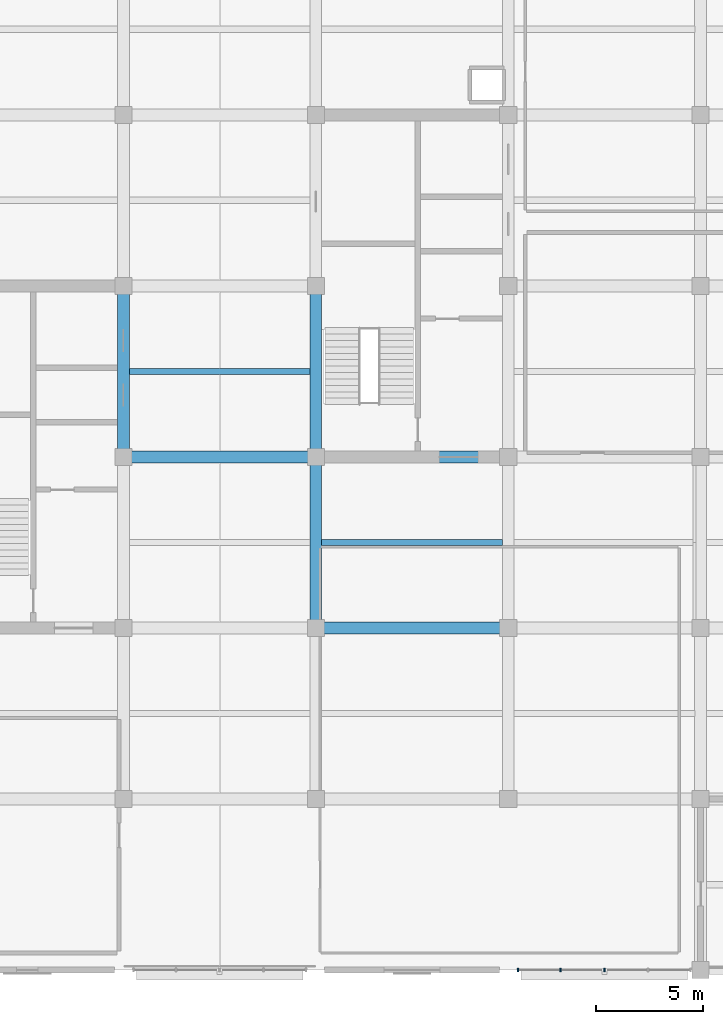
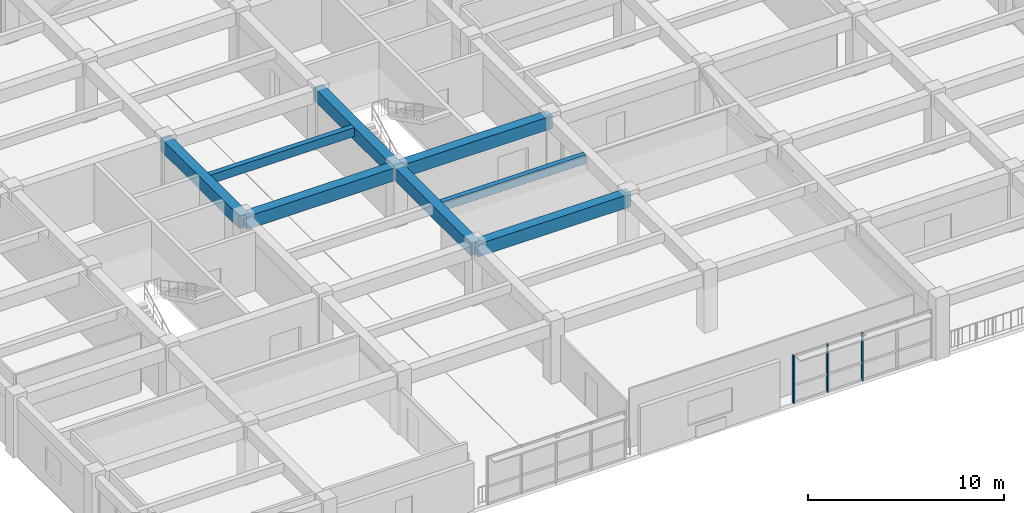
# One storey, part 5 of 17: 8 beams, 3 members, 1 element without a shape of its own.
"""IFC4 building model written with IfcOpenShell, lengths in metres."""

from ifc_helpers import new_model, si_unit, direction, frame, origin, origin_2d, place, context, subcontext, project, spatial, rectangle, extrude, material, material_profile, profile_set, type_object, element, aggregate, save


model = new_model("IFC4")

# Units and contexts
model_context = context("Model", 3, precision=1e-05, world=origin(), true_north=direction((0.0, 1.0)))
body_context = subcontext(model_context, "Body", "Model", "MODEL_VIEW")
ifc_project = project(units=[si_unit("LENGTHUNIT", "METRE"), si_unit("AREAUNIT", "SQUARE_METRE"), si_unit("VOLUMEUNIT", "CUBIC_METRE"), si_unit("PLANEANGLEUNIT", "RADIAN"), si_unit("MASSUNIT", "GRAM", prefix="KILO")], contexts=[model_context])

# Site, building, storey
site_placement = place(None, origin())
site = spatial("IfcSite", under=ifc_project, at=site_placement, CompositionType="ELEMENT")
building_placement = place(site_placement, origin())
building = spatial("IfcBuilding", under=site, at=building_placement, Name="Zaverband Oceanarium and Marine Research Institute", CompositionType="ELEMENT")
storey_placement = place(building_placement, frame((0.0, 0.0, 33.60009765625)))
storey = spatial("IfcBuildingStorey", under=building, at=storey_placement, Name="L08", CompositionType="ELEMENT", Elevation=33.60009765625)

# Beams
ifc_material_1 = material(Name="Concrete C40/50", Category="concrete")
ifc_material_profile_1 = material_profile(ifc_material_1, rectangle(XDim=0.550048828125, YDim=0.800048828125, at=origin_2d()), Name="RC550x800")
ifc_profile_set_1 = profile_set([ifc_material_profile_1], Name="Concrete C40/50")
beam_type_1 = type_object("IfcBeamType", Name="BM-550x800", PredefinedType="BEAM", material=ifc_profile_set_1)
for number, where, z_axis, x_axis, name in (
    (1, (36.0, 80.0, 3.25), (1.0, 0.0, 0.0), (0.0, 1.0, 0.0), "Primary floor girder BM-550x800"),
    (2, (27.0, 88.0, 3.25), (1.0, 0.0, 0.0), (0.0, 1.0, 0.0), "Primary floor girder BM-550x800"),
    (3, (36.0, 88.0, 3.25), (1.0, 0.0, 0.0), (0.0, 1.0, 0.0), "Primary floor girder BM-550x800"),
):
    element("IfcBeam", number, at=place(storey_placement, frame(where, z_axis=z_axis, x_axis=x_axis)), inside=storey, type_object=beam_type_1, Name=name, PredefinedType="BEAM", context=body_context, shape_type="SweptSolid", body=[
        extrude(rectangle(XDim=0.550048828125, YDim=0.800048828125, at=origin_2d()), origin(), (0.0, 0.0, 1.0), 9.0),
    ])
for number, where, z_axis, x_axis, name in (
    (4, (27.0, 88.0, 3.25), (0.0, 1.0, 0.0), (-1.0, 0.0, 0.0), "Primary floor girder BM-550x800"),
    (5, (36.0, 80.0, 3.25), (0.0, 1.0, 0.0), (-1.0, 0.0, 0.0), "Primary floor girder BM-550x800"),
    (6, (36.0, 88.0, 3.25), (0.0, 1.0, 0.0), (-1.0, 0.0, 0.0), "Primary floor girder BM-550x800"),
):
    element("IfcBeam", number, at=place(storey_placement, frame(where, z_axis=z_axis, x_axis=x_axis)), inside=storey, type_object=beam_type_1, Name=name, PredefinedType="BEAM", context=body_context, shape_type="SweptSolid", body=[
        extrude(rectangle(XDim=0.550048828125, YDim=0.800048828125, at=origin_2d()), origin(), (0.0, 0.0, 1.0), 8.0),
    ])
ifc_material_profile_2 = material_profile(ifc_material_1, rectangle(XDim=0.300048828125, YDim=0.550048828125, at=origin_2d()), Name="RC300x550")
ifc_profile_set_2 = profile_set([ifc_material_profile_2], Name="Concrete C40/50")
beam_type_2 = type_object("IfcBeamType", Name="JST-300x550", PredefinedType="JOIST", material=ifc_profile_set_2)
for number, where, z_axis, x_axis, name in (
    (7, (27.27490234375, 92.0, 3.375), (1.0, 0.0, 0.0), (0.0, 1.0, 0.0), "Secondary floor joist JST-300x550"),
    (8, (36.27490234375, 84.0, 3.375), (1.0, 0.0, 0.0), (0.0, 1.0, 0.0), "Secondary floor joist JST-300x550"),
):
    element("IfcBeam", number, at=place(storey_placement, frame(where, z_axis=z_axis, x_axis=x_axis)), inside=storey, type_object=beam_type_2, Name=name, PredefinedType="JOIST", context=body_context, shape_type="SweptSolid", body=[
        extrude(rectangle(XDim=0.300048828125, YDim=0.550048828125, at=origin_2d()), origin(), (0.0, 0.0, 1.0), 8.4501953125),
    ])

# Curtain wall, members
ifc_material_2 = material(Name="Thermally broken anodized aluminium and solar-control glass", Category="aluminium")
curtain_wall_type = type_object("IfcCurtainWallType", Name="CW-UNIT-1800", PredefinedType="NOTDEFINED", material=ifc_material_2)
curtain_wall_placement = place(storey_placement, origin())
curtain_wall = element("IfcCurtainWall", 9, at=curtain_wall_placement, inside=storey, type_object=curtain_wall_type, Name="Unitised glazed curtain wall CW-096", PredefinedType="NOTDEFINED")
ifc_material_3 = material(Name="Thermally broken anodized aluminium", Category="aluminium")
ifc_material_profile_3 = material_profile(ifc_material_3, rectangle(XDim=0.070068359375, YDim=0.14990234375, at=origin_2d()), Name="AL-MUL-70x150")
ifc_profile_set_3 = profile_set([ifc_material_profile_3], Name="Thermally broken anodized aluminium")
member_type = type_object("IfcMemberType", Name="MUL-70x150", PredefinedType="MULLION", material=ifc_profile_set_3)
member_1_placement = place(storey_placement, frame((45.465087890625, 64.0, 0.0), z_axis=(0.0, 0.0, 1.0), x_axis=(1.0, 0.0, 0.0)))
member_1 = element("IfcMember", 10, at=member_1_placement, type_object=member_type, Name="Curtain wall vertical mullion MUL-70x150", PredefinedType="MULLION", context=body_context, shape_type="SweptSolid", body=[
    extrude(rectangle(XDim=0.070068359375, YDim=0.14990234375, at=origin_2d()), origin(), (0.0, 0.0, 1.0), 2.97998046875),
])
member_2_placement = place(storey_placement, frame((47.452392578125, 64.0, 0.0), z_axis=(0.0, 0.0, 1.0), x_axis=(1.0, 0.0, 0.0)))
member_2 = element("IfcMember", 11, at=member_2_placement, type_object=member_type, Name="Curtain wall vertical mullion MUL-70x150", PredefinedType="MULLION", context=body_context, shape_type="SweptSolid", body=[
    extrude(rectangle(XDim=0.070068359375, YDim=0.14990234375, at=origin_2d()), origin(), (0.0, 0.0, 1.0), 2.97998046875),
])
member_3_placement = place(storey_placement, frame((49.5, 64.0, 0.0), z_axis=(0.0, 0.0, 1.0), x_axis=(1.0, 0.0, 0.0)))
member_3 = element("IfcMember", 12, at=member_3_placement, type_object=member_type, Name="Curtain wall vertical mullion MUL-70x150", PredefinedType="MULLION", context=body_context, shape_type="SweptSolid", body=[
    extrude(rectangle(XDim=0.070068359375, YDim=0.14990234375, at=origin_2d()), origin(), (0.0, 0.0, 1.0), 2.97998046875),
])
aggregate(curtain_wall, [member_1, member_2, member_3])

save(model, "model.ifc")
